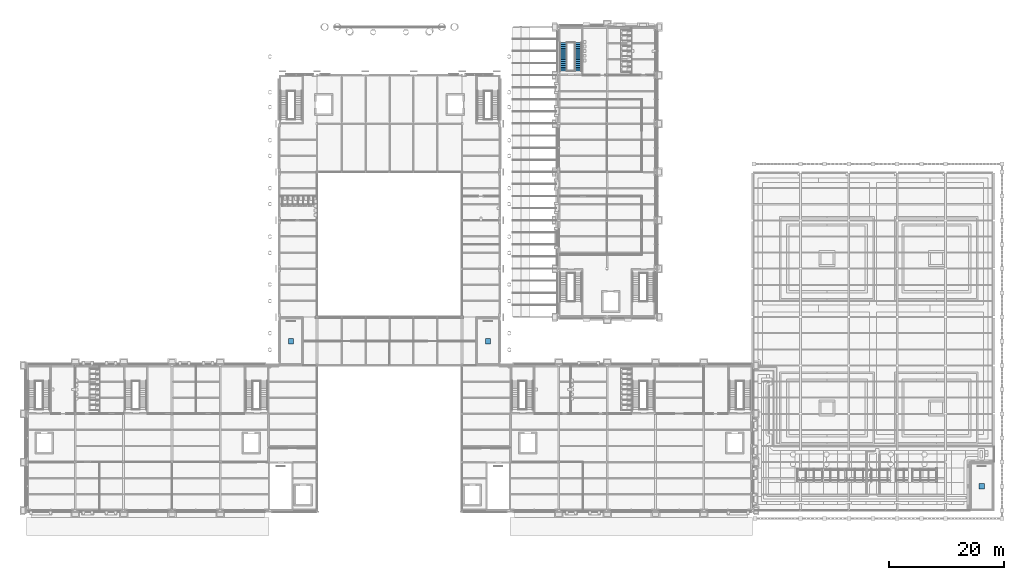
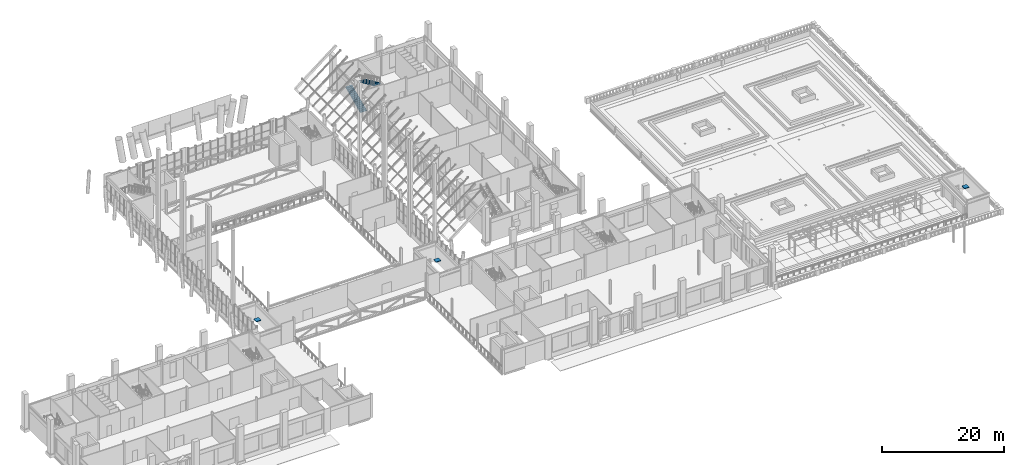
# One storey, part 59 of 76: 3 discrete accessories, 2 stair flights, 1 element without a shape of its own.
"""IFC4 building model written with IfcOpenShell, lengths in metres."""

from ifc_helpers import new_model, si_unit, direction, frame, origin, origin_2d, place, context, subcontext, project, spatial, polyline, rectangle, outline, extrude, material, type_object, element, aggregate, save


model = new_model("IFC4")

# Units and contexts
model_context = context("Model", 3, precision=1e-05, world=origin(), true_north=direction((0.0, 1.0)))
body_context = subcontext(model_context, "Body", "Model", "MODEL_VIEW")
ifc_project = project(units=[si_unit("LENGTHUNIT", "METRE"), si_unit("AREAUNIT", "SQUARE_METRE"), si_unit("VOLUMEUNIT", "CUBIC_METRE"), si_unit("PLANEANGLEUNIT", "RADIAN"), si_unit("MASSUNIT", "GRAM", prefix="KILO")], contexts=[model_context])

# Site, building, storey
site_placement = place(None, origin())
site = spatial("IfcSite", under=ifc_project, at=site_placement, CompositionType="ELEMENT")
building_placement = place(site_placement, origin())
building = spatial("IfcBuilding", under=site, at=building_placement, Name="Sava Quay Ferry Terminal", CompositionType="ELEMENT")
storey_placement = place(building_placement, frame((0.0, 0.0, 6.0)))
storey = spatial("IfcBuildingStorey", under=building, at=storey_placement, Name="L01", CompositionType="ELEMENT", Elevation=6.0)

# Stair, stair flights
ifc_material_1 = material(Name="Concrete C30/37", Category="concrete")
stair_type = type_object("IfcStairType", Name="Stair 1200 half landing", PredefinedType="HALF_TURN_STAIR", material=ifc_material_1)
stair_placement = place(storey_placement, origin())
stair = element("IfcStair", 1, at=stair_placement, inside=storey, type_object=stair_type, Name="Stair ST-O3 L01", PredefinedType="HALF_TURN_STAIR")
ifc_material_2 = material(Name="Concrete C30/37", Category="concrete")
stair_flight_type = type_object("IfcStairFlightType", Name="Stair flight 1200", PredefinedType="STRAIGHT", material=ifc_material_2)
stair_flight_1_placement = place(storey_placement, frame((93.199951171875, 101.530029296875, 0.0), z_axis=(0.0, 0.0, 1.0), x_axis=(0.0, 1.0, 0.0)))
stair_flight_1 = element("IfcStairFlight", 2, at=stair_flight_1_placement, type_object=stair_flight_type, Name="ST-O3 flight 1", NumberOfRisers=16, NumberOfTreads=15, PredefinedType="STRAIGHT", RiserHeight=0.15, TreadLength=0.33, context=body_context, shape_type="SweptSolid", body=[
    extrude(outline(polyline([(0.0, 0.0), (0.0, 0.14990234375), (0.330078125, 0.14990234375), (0.330078125, 0.300048828125), (0.659912109375, 0.300048828125), (0.659912109375, 0.449951171875), (0.989990234375, 0.449951171875), (0.989990234375, 0.60009765625), (1.320068359375, 0.60009765625), (1.320068359375, 0.75), (1.64990234375, 0.75), (1.64990234375, 0.89990234375), (1.97998046875, 0.89990234375), (1.97998046875, 1.050048828125), (2.31005859375, 1.050048828125), (2.31005859375, 1.199951171875), (2.639892578125, 1.199951171875), (2.639892578125, 1.35009765625), (2.969970703125, 1.35009765625), (2.969970703125, 1.5), (3.300048828125, 1.5), (3.300048828125, 1.64990234375), (3.6298828125, 1.64990234375), (3.6298828125, 1.800048828125), (3.9599609375, 1.800048828125), (3.9599609375, 1.949951171875), (4.2900390625, 1.949951171875), (4.2900390625, 2.10009765625), (4.6201171875, 2.10009765625), (4.6201171875, 2.25), (4.949951171875, 2.25), (4.949951171875, 2.39990234375), (4.949951171875, 2.08544921875), (0.3623046875, 0.0), (0.0, 0.0)])), frame((0.0, 0.60009765625, 0.0), z_axis=(0.0, -1.0, 0.0), x_axis=(1.0, 0.0, 0.0)), (0.0, 0.0, 1.0), 1.199951171875),
])
stair_flight_2_placement = place(storey_placement, frame((95.800048828125, 106.47998046875, 2.39990234375), z_axis=(0.0, 0.0, 1.0), x_axis=(0.0, -1.0, 0.0)))
stair_flight_2 = element("IfcStairFlight", 3, at=stair_flight_2_placement, type_object=stair_flight_type, Name="ST-O3 flight 2", NumberOfRisers=16, NumberOfTreads=15, PredefinedType="STRAIGHT", RiserHeight=0.15, TreadLength=0.33, context=body_context, shape_type="SweptSolid", body=[
    extrude(outline(polyline([(0.0, 0.0), (0.0, 0.14990234375), (0.330078125, 0.14990234375), (0.330078125, 0.300048828125), (0.659912109375, 0.300048828125), (0.659912109375, 0.449951171875), (0.989990234375, 0.449951171875), (0.989990234375, 0.60009765625), (1.320068359375, 0.60009765625), (1.320068359375, 0.75), (1.64990234375, 0.75), (1.64990234375, 0.89990234375), (1.97998046875, 0.89990234375), (1.97998046875, 1.050048828125), (2.31005859375, 1.050048828125), (2.31005859375, 1.199951171875), (2.639892578125, 1.199951171875), (2.639892578125, 1.35009765625), (2.969970703125, 1.35009765625), (2.969970703125, 1.5), (3.300048828125, 1.5), (3.300048828125, 1.64990234375), (3.6298828125, 1.64990234375), (3.6298828125, 1.800048828125), (3.9599609375, 1.800048828125), (3.9599609375, 1.949951171875), (4.2900390625, 1.949951171875), (4.2900390625, 2.10009765625), (4.6201171875, 2.10009765625), (4.6201171875, 2.25), (4.949951171875, 2.25), (4.949951171875, 2.39990234375), (4.949951171875, 2.08544921875), (0.3623046875, 0.0), (0.0, 0.0)])), frame((0.0, 0.60009765625, 0.0), z_axis=(0.0, -1.0, 0.0), x_axis=(1.0, 0.0, 0.0)), (0.0, 0.0, 1.0), 1.199951171875),
])
aggregate(stair, [stair_flight_1, stair_flight_2])

# Discrete accessories
ifc_material_3 = material(Name="Galvanised steel S355J2", Category="steel")
discrete_accessory_type = type_object("IfcDiscreteAccessoryType", Name="Roof access hatch 900x900", PredefinedType="NOTDEFINED", material=ifc_material_3)
for number, where, z_axis, x_axis, name in (
    (4, (45.89990234375, 54.60009765625, 3.199951171875), (0.0, 0.0, 1.0), (1.0, 0.0, 0.0), "Roof access hatch ST-D1"),
    (5, (80.10009765625, 54.60009765625, 3.199951171875), (0.0, 0.0, 1.0), (1.0, 0.0, 0.0), "Roof access hatch ST-D2"),
    (6, (165.89990234375, 29.39990234375, 3.199951171875), (0.0, 0.0, 1.0), (1.0, 0.0, 0.0), "Roof access hatch ST-V1"),
):
    element("IfcDiscreteAccessory", number, at=place(storey_placement, frame(where, z_axis=z_axis, x_axis=x_axis)), inside=storey, type_object=discrete_accessory_type, Name=name, PredefinedType="NOTDEFINED", context=body_context, shape_type="SweptSolid", body=[
        extrude(rectangle(XDim=0.89990234375, YDim=0.89990234375, at=origin_2d()), origin(), (0.0, 0.0, 1.0), 0.1201171875),
    ])

save(model, "model.ifc")
